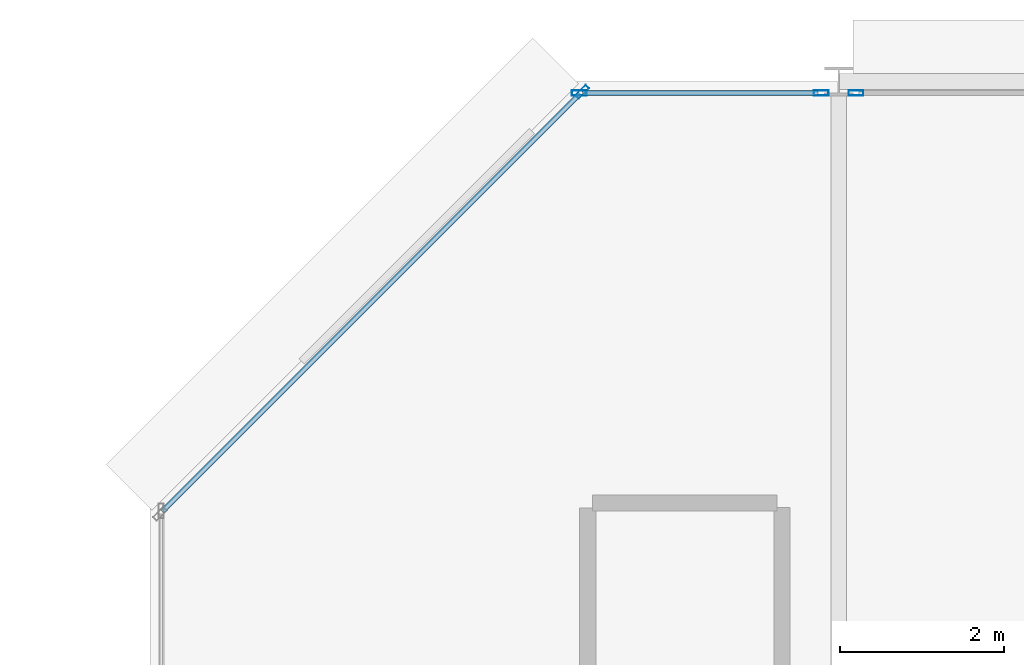
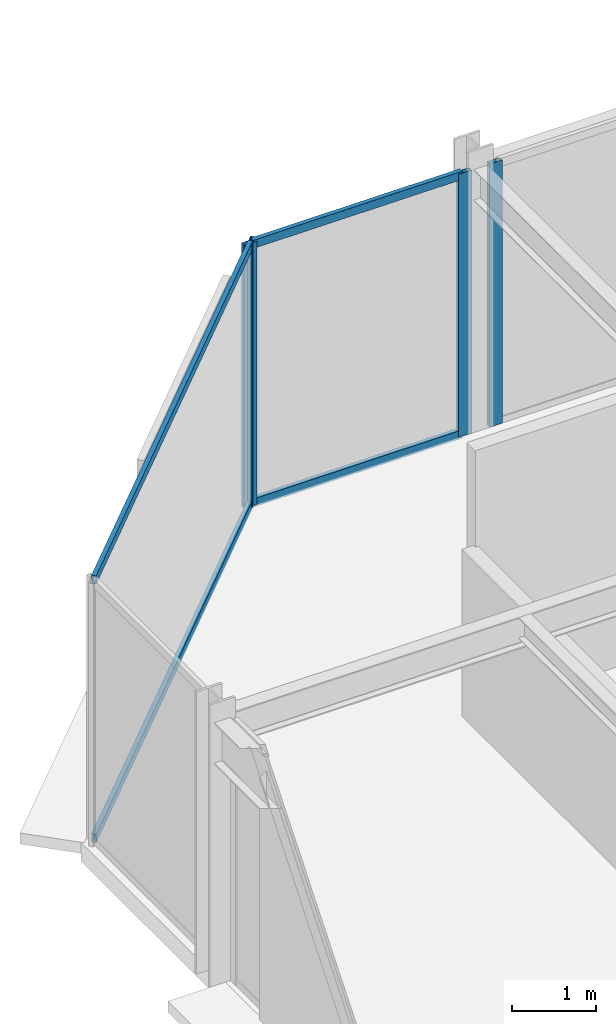
# One storey, part 21 of 30: 8 members, 3 elements without a shape of their own.
"""IFC4 building model written with IfcOpenShell, lengths in metres."""

import ifcopenshell
import ifcopenshell.guid

model = None  # the IFC model being written
_history = None  # IfcOwnerHistory: only IFC2X3 demands one
_inside = {}  # id of a spatial element -> (the spatial element, [elements in it])
_under = {}  # id of a project, library or spatial element -> (it, [spatial elements below it])
_declared = {}  # id of a project -> (the project, [libraries it declares])
_typed = {}  # id of a type object -> (the type object, [elements of that type])
_made_of = {}  # id of a material, layer set ... -> (it, [elements and type objects made of it])


def new_model(schema):
    """Start an empty IFC model of exactly this schema.

    Asked for "IFC4X3", IfcOpenShell would pick the latest addendum, in which some entities
    have other attributes; the version numbers below select the first issue.
    IFC2X3 requires an IfcOwnerHistory on every rooted entity: one is made here for all.
    """
    global model, _history
    if schema == "IFC4X3":
        model = ifcopenshell.file(schema_version=(4, 3, 0, 0))
    else:
        model = ifcopenshell.file(schema=schema)
    _inside.clear()
    _under.clear()
    _declared.clear()
    _typed.clear()
    _made_of.clear()
    _history = None
    if model.schema == "IFC2X3":
        org = make("IfcOrganization", Name="unknown")
        user = make(
            "IfcPersonAndOrganization",
            ThePerson=make("IfcPerson", FamilyName="unknown"),
            TheOrganization=org,
        )
        app = make(
            "IfcApplication",
            ApplicationDeveloper=org,
            Version="unknown",
            ApplicationFullName="unknown",
            ApplicationIdentifier="unknown",
        )
        _history = make(
            "IfcOwnerHistory",
            OwningUser=user,
            OwningApplication=app,
            ChangeAction="ADDED",
            CreationDate=0,
        )
    return model


def make(cls, **values):
    """One entity of the class cls with the attributes given. An attribute that is None is left unset."""
    return model.create_entity(
        cls, **{name: value for name, value in values.items() if value is not None}
    )


def rooted(cls, **values):
    """An entity with a GlobalId (a new one), such as an element, a storey or a relation."""
    return make(cls, GlobalId=ifcopenshell.guid.new(), OwnerHistory=_history, **values)


def si_unit(unit_type, name, prefix=None):
    """IfcSIUnit, for example si_unit("LENGTHUNIT", "METRE", prefix="MILLI")."""
    return make("IfcSIUnit", UnitType=unit_type, Prefix=prefix, Name=name)


def assignment(units):
    """IfcUnitAssignment: the units of a project."""
    return None if units is None else make("IfcUnitAssignment", Units=units)


def point(xyz):
    """IfcCartesianPoint."""
    return None if xyz is None else make("IfcCartesianPoint", Coordinates=xyz)


def direction(xyz):
    """IfcDirection."""
    return None if xyz is None else make("IfcDirection", DirectionRatios=xyz)


def frame(location, z_axis=None, x_axis=None):
    """IfcAxis2Placement3D, a coordinate frame: its origin and axes. An axis left out is left unset."""
    return make(
        "IfcAxis2Placement3D",
        Location=point(location),
        Axis=direction(z_axis),
        RefDirection=direction(x_axis),
    )


def frame_2d(location, x_axis=None):
    """IfcAxis2Placement2D, a coordinate frame in the plane: its origin and x axis."""
    return make(
        "IfcAxis2Placement2D", Location=point(location), RefDirection=direction(x_axis)
    )


def origin():
    """The frame at (0, 0, 0) with its axes left unset."""
    return frame((0.0, 0.0, 0.0))


def origin_2d():
    """The frame at (0, 0) in the plane with its x axis left unset."""
    return frame_2d((0.0, 0.0))


def place(relative_to, where):
    """IfcLocalPlacement: puts the frame where relative to a parent placement (None: the world)."""
    return make(
        "IfcLocalPlacement", PlacementRelTo=relative_to, RelativePlacement=where
    )


def context(
    kind, dimensions, precision=None, world=None, true_north=None, identifier=None
):
    """IfcGeometricRepresentationContext, for example the 3D "Model" context."""
    return make(
        "IfcGeometricRepresentationContext",
        ContextIdentifier=identifier,
        ContextType=kind,
        CoordinateSpaceDimension=dimensions,
        Precision=precision,
        WorldCoordinateSystem=world,
        TrueNorth=true_north,
    )


def subcontext(parent, identifier, kind, view, scale=None):
    """IfcGeometricRepresentationSubContext, for example "Body" below "Model"."""
    return make(
        "IfcGeometricRepresentationSubContext",
        ContextIdentifier=identifier,
        ContextType=kind,
        ParentContext=parent,
        TargetScale=scale,
        TargetView=view,
    )


def project(units=None, contexts=None):
    """IfcProject with its units and contexts."""
    return rooted(
        "IfcProject",
        Name="project",
        RepresentationContexts=contexts,
        UnitsInContext=assignment(units),
    )


def spatial(cls, under=None, at=None, **own):
    """A site, building, storey or space (cls), placed at a placement, below another one or the project."""
    s = rooted(cls, ObjectPlacement=at, **own)
    if under is not None:
        _under.setdefault(under.id(), (under, []))[1].append(s)
    return s


def profile(cls, at=None, kind="AREA", **sizes):
    """A parametric profile (cls). Its sizes go by their IFC names, for example OverallWidth=200.0."""
    return make(cls, ProfileType=kind, Position=at, **sizes)


def hollow_rectangle(**sizes):
    """IfcRectangleHollowProfileDef."""
    return profile("IfcRectangleHollowProfileDef", **sizes)


def extrude(swept, where, along, depth):
    """IfcExtrudedAreaSolid: the profile swept, set in the frame where, extruded along a direction by depth."""
    return make(
        "IfcExtrudedAreaSolid",
        SweptArea=swept,
        Position=where,
        ExtrudedDirection=direction(along),
        Depth=depth,
    )


def shape(context_of_items, identifier, shape_type, items):
    """IfcShapeRepresentation: the items that make up one representation, for example the "Body"."""
    return make(
        "IfcShapeRepresentation",
        ContextOfItems=context_of_items,
        RepresentationIdentifier=identifier,
        RepresentationType=shape_type,
        Items=items,
    )


def material(Name=None, Category=None):
    """IfcMaterial."""
    return make("IfcMaterial", Name=Name, Category=Category)


def layer(
    of_material, thickness, ventilated=None, Name=None, Category=None, Priority=None
):
    """IfcMaterialLayer: one layer of a wall or slab, of a material (None: an air gap)."""
    return make(
        "IfcMaterialLayer",
        Material=of_material,
        LayerThickness=thickness,
        IsVentilated=ventilated,
        Name=Name,
        Category=Category,
        Priority=Priority,
    )


def layer_set(layers, Name=None):
    """IfcMaterialLayerSet."""
    return make("IfcMaterialLayerSet", MaterialLayers=layers, LayerSetName=Name)


def material_profile(
    of_material, cross_section, Name=None, Category=None, Priority=None
):
    """IfcMaterialProfile: a cross section and its material."""
    return make(
        "IfcMaterialProfile",
        Name=Name,
        Material=of_material,
        Profile=cross_section,
        Priority=Priority,
        Category=Category,
    )


def profile_set(profiles, Name=None, composite=None):
    """IfcMaterialProfileSet."""
    return make(
        "IfcMaterialProfileSet",
        Name=Name,
        MaterialProfiles=profiles,
        CompositeProfile=composite,
    )


def made_of(thing, what):
    """Note that an element or type object is made of a material, layer set ...; save() writes the relation."""
    if what is not None:
        _made_of.setdefault(what.id(), (what, []))[1].append(thing)
    return thing


def type_object(cls, material=None, **own):
    """A type object (cls), such as IfcWallType, which elements share."""
    return made_of(rooted(cls, **own), material)


def element(
    cls,
    number,
    at=None,
    inside=None,
    cuts=None,
    type_object=None,
    material=None,
    context=None,
    identifier="Body",
    shape_type=None,
    held_by="IfcProductDefinitionShape",
    body=None,
    shapes=None,
    **own,
):
    """One element of the class cls, such as IfcWall. Its Tag is "e" and its number.

    at: its placement. inside: the storey or other place that contains it. cuts: it is an
    opening in that element (IfcRelVoidsElement). A single representation is given by context,
    identifier, shape_type and body (its items); several are given by shapes. held_by: the class
    of the entity that holds the representations. save() writes the other relations.
    """
    e = rooted(cls, Tag="e%d" % number, ObjectPlacement=at, **own)
    if body is not None:
        shapes = [shape(context, identifier, shape_type, body)]
    if shapes is not None:
        e.Representation = make(held_by, Representations=shapes)
    if inside is not None:
        _inside.setdefault(inside.id(), (inside, []))[1].append(e)
    if cuts is not None:
        rooted(
            "IfcRelVoidsElement", RelatingBuildingElement=cuts, RelatedOpeningElement=e
        )
    if type_object is not None:
        _typed.setdefault(type_object.id(), (type_object, []))[1].append(e)
    return made_of(e, material)


def aggregate(whole, parts):
    """IfcRelAggregates: a whole, such as a stair, and the parts it consists of."""
    return rooted("IfcRelAggregates", RelatingObject=whole, RelatedObjects=parts)


def save(model, path):
    """Write the relations noted so far, then the file.

    IfcRelAggregates (storeys below a building ...), IfcRelContainedInSpatialStructure (elements
    in a storey), IfcRelDefinesByType, IfcRelAssociatesMaterial and IfcRelDeclares: one each for
    every whole, place, type object, material and project.
    """
    for whole, parts in _under.values():
        aggregate(whole, parts)
    for where, things in _inside.values():
        rooted(
            "IfcRelContainedInSpatialStructure",
            RelatedElements=things,
            RelatingStructure=where,
        )
    for kind, things in _typed.values():
        rooted("IfcRelDefinesByType", RelatedObjects=things, RelatingType=kind)
    for what, things in _made_of.values():
        rooted("IfcRelAssociatesMaterial", RelatedObjects=things, RelatingMaterial=what)
    for by, libraries in _declared.values():
        rooted("IfcRelDeclares", RelatingContext=by, RelatedDefinitions=libraries)
    model.write(path)


model = new_model("IFC4")

# Units and contexts
model_context = context("Model", 3, precision=1e-05, world=origin(), true_north=direction((0.0, 1.0)))
body_context = subcontext(model_context, "Body", "Model", "MODEL_VIEW")
ifc_project = project(units=[si_unit("LENGTHUNIT", "METRE"), si_unit("AREAUNIT", "SQUARE_METRE"), si_unit("VOLUMEUNIT", "CUBIC_METRE"), si_unit("PLANEANGLEUNIT", "RADIAN"), si_unit("MASSUNIT", "GRAM", prefix="KILO")], contexts=[model_context])

# Site, building, storey
site_placement = place(None, origin())
site = spatial("IfcSite", under=ifc_project, at=site_placement, CompositionType="ELEMENT")
building_placement = place(site_placement, origin())
building = spatial("IfcBuilding", under=site, at=building_placement, Name="Nerrivon Quay Data Exchange", CompositionType="ELEMENT")
storey_placement = place(building_placement, frame((0.0, 0.0, 167.300048828125)))
storey = spatial("IfcBuildingStorey", under=building, at=storey_placement, Name="L39", CompositionType="ELEMENT", Elevation=167.300048828125)

# Curtain wall, member
ifc_material = material(Name="Anodised aluminium 6063-T6", Category="aluminium")
ifc_layer = layer(ifc_material, 0.195068359375)
ifc_layer_set = layer_set([ifc_layer], Name="Anodised aluminium 6063-T6")
curtain_wall_type = type_object("IfcCurtainWallType", Name="CW-SYS-06", PredefinedType="NOTDEFINED", material=ifc_layer_set)
curtain_wall_1_placement = place(storey_placement, origin())
curtain_wall_1 = element("IfcCurtainWall", 1, at=curtain_wall_1_placement, inside=storey, type_object=curtain_wall_type, Name="L39 Unitised Curtain Wall 17", PredefinedType="NOTDEFINED")
ifc_material_profile_1 = material_profile(ifc_material, hollow_rectangle(XDim=0.06494140625, YDim=0.179931640625, WallThickness=0.00341796875, at=origin_2d()), Name="ALU-MULL-180x65")
ifc_profile_set_1 = profile_set([ifc_material_profile_1], Name="Anodised aluminium 6063-T6")
member_type_1 = type_object("IfcMemberType", Name="CWM-180x65", PredefinedType="MULLION", material=ifc_profile_set_1)
member_1_placement = place(storey_placement, frame((5.2724609375, 50.2744140625, 0.0), z_axis=(0.0, 0.0, 1.0), x_axis=(-0.707106781187, 0.707106781187, 0.0)))
member_1 = element("IfcMember", 2, at=member_1_placement, type_object=member_type_1, Name="CW06 mullion 2", PredefinedType="MULLION", context=body_context, shape_type="SweptSolid", body=[
    extrude(hollow_rectangle(XDim=0.06494140625, YDim=0.179931640625, WallThickness=0.00341796875, at=origin_2d()), origin(), (0.0, 0.0, 1.0), 3.824951171875),
])

# Curtain wall, members
curtain_wall_2_placement = place(storey_placement, origin())
curtain_wall_2 = element("IfcCurtainWall", 3, at=curtain_wall_2_placement, inside=storey, type_object=curtain_wall_type, Name="L39 Unitised Curtain Wall 18", PredefinedType="NOTDEFINED")
member_2_placement = place(storey_placement, frame((5.237548828125, 50.260009765625, 0.0), z_axis=(0.0, 0.0, 1.0), x_axis=(0.0, 1.0, 0.0)))
member_2 = element("IfcMember", 4, at=member_2_placement, type_object=member_type_1, Name="CW06 mullion 1", PredefinedType="MULLION", context=body_context, shape_type="SweptSolid", body=[
    extrude(hollow_rectangle(XDim=0.06494140625, YDim=0.179931640625, WallThickness=0.00341796875, at=origin_2d()), origin(), (0.0, 0.0, 1.0), 3.824951171875),
])
member_3_placement = place(storey_placement, frame((8.1875, 50.260009765625, 0.0), z_axis=(0.0, 0.0, 1.0), x_axis=(0.0, 1.0, 0.0)))
member_3 = element("IfcMember", 5, at=member_3_placement, type_object=member_type_1, Name="CW06 mullion 2", PredefinedType="MULLION", context=body_context, shape_type="SweptSolid", body=[
    extrude(hollow_rectangle(XDim=0.06494140625, YDim=0.179931640625, WallThickness=0.00341796875, at=origin_2d()), origin(), (0.0, 0.0, 1.0), 3.824951171875),
])

# Curtain wall, member
curtain_wall_3_placement = place(storey_placement, origin())
curtain_wall_3 = element("IfcCurtainWall", 6, at=curtain_wall_3_placement, inside=storey, type_object=curtain_wall_type, Name="L39 Unitised Curtain Wall 19", PredefinedType="NOTDEFINED")
member_4_placement = place(storey_placement, frame((8.612548828125, 50.260009765625, 0.0), z_axis=(0.0, 0.0, 1.0), x_axis=(0.0, 1.0, 0.0)))
member_4 = element("IfcMember", 7, at=member_4_placement, type_object=member_type_1, Name="CW06 mullion 1", PredefinedType="MULLION", context=body_context, shape_type="SweptSolid", body=[
    extrude(hollow_rectangle(XDim=0.06494140625, YDim=0.179931640625, WallThickness=0.00341796875, at=origin_2d()), origin(), (0.0, 0.0, 1.0), 3.824951171875),
])
aggregate(curtain_wall_3, [member_4])

# Member
ifc_material_profile_2 = material_profile(ifc_material, hollow_rectangle(XDim=0.06005859375, YDim=0.1201171875, WallThickness=0.003173828125, at=origin_2d()), Name="ALU-TRAN-120x60")
ifc_profile_set_2 = profile_set([ifc_material_profile_2], Name="Anodised aluminium 6063-T6")
member_type_2 = type_object("IfcMemberType", Name="CWT-120x60", PredefinedType="USERDEFINED", material=ifc_profile_set_2)
member_5_placement = place(storey_placement, frame((0.152099609375, 45.154052734375, 0.032470703125), z_axis=(0.707089835771, 0.707123726196, 0.0), x_axis=(-0.707123726196, 0.707089835771, 0.0)))
member_5 = element("IfcMember", 8, at=member_5_placement, type_object=member_type_2, Name="CW06 transom 1.1", ObjectType="TRANSOM", PredefinedType="USERDEFINED", context=body_context, shape_type="SweptSolid", body=[
    extrude(hollow_rectangle(XDim=0.06005859375, YDim=0.1201171875, WallThickness=0.003173828125, at=origin_2d()), origin(), (0.0, 0.0, 1.0), 7.203857421875),
])

member_6_placement = place(storey_placement, frame((0.152099609375, 45.154052734375, 3.79248046875), z_axis=(0.707089835771, 0.707123726196, 0.0), x_axis=(-0.707123726196, 0.707089835771, 0.0)))
member_6 = element("IfcMember", 9, at=member_6_placement, type_object=member_type_2, Name="CW06 transom 1.2", ObjectType="TRANSOM", PredefinedType="USERDEFINED", context=body_context, shape_type="SweptSolid", body=[
    extrude(hollow_rectangle(XDim=0.06005859375, YDim=0.1201171875, WallThickness=0.003173828125, at=origin_2d()), origin(), (0.0, 0.0, 1.0), 7.203857421875),
])

aggregate(curtain_wall_1, [member_1, member_5, member_6])

member_7_placement = place(storey_placement, frame((5.27490234375, 50.260009765625, 0.032470703125), z_axis=(1.0, 0.0, 0.0), x_axis=(0.0, 1.0, 0.0)))
member_7 = element("IfcMember", 10, at=member_7_placement, type_object=member_type_2, Name="CW06 transom 1.1", ObjectType="TRANSOM", PredefinedType="USERDEFINED", context=body_context, shape_type="SweptSolid", body=[
    extrude(hollow_rectangle(XDim=0.06005859375, YDim=0.1201171875, WallThickness=0.003173828125, at=origin_2d()), origin(), (0.0, 0.0, 1.0), 2.875),
])

member_8_placement = place(storey_placement, frame((5.27490234375, 50.260009765625, 3.79248046875), z_axis=(1.0, 0.0, 0.0), x_axis=(0.0, 1.0, 0.0)))
member_8 = element("IfcMember", 11, at=member_8_placement, type_object=member_type_2, Name="CW06 transom 1.2", ObjectType="TRANSOM", PredefinedType="USERDEFINED", context=body_context, shape_type="SweptSolid", body=[
    extrude(hollow_rectangle(XDim=0.06005859375, YDim=0.1201171875, WallThickness=0.003173828125, at=origin_2d()), origin(), (0.0, 0.0, 1.0), 2.875),
])

aggregate(curtain_wall_2, [member_2, member_3, member_7, member_8])

save(model, "model.ifc")
